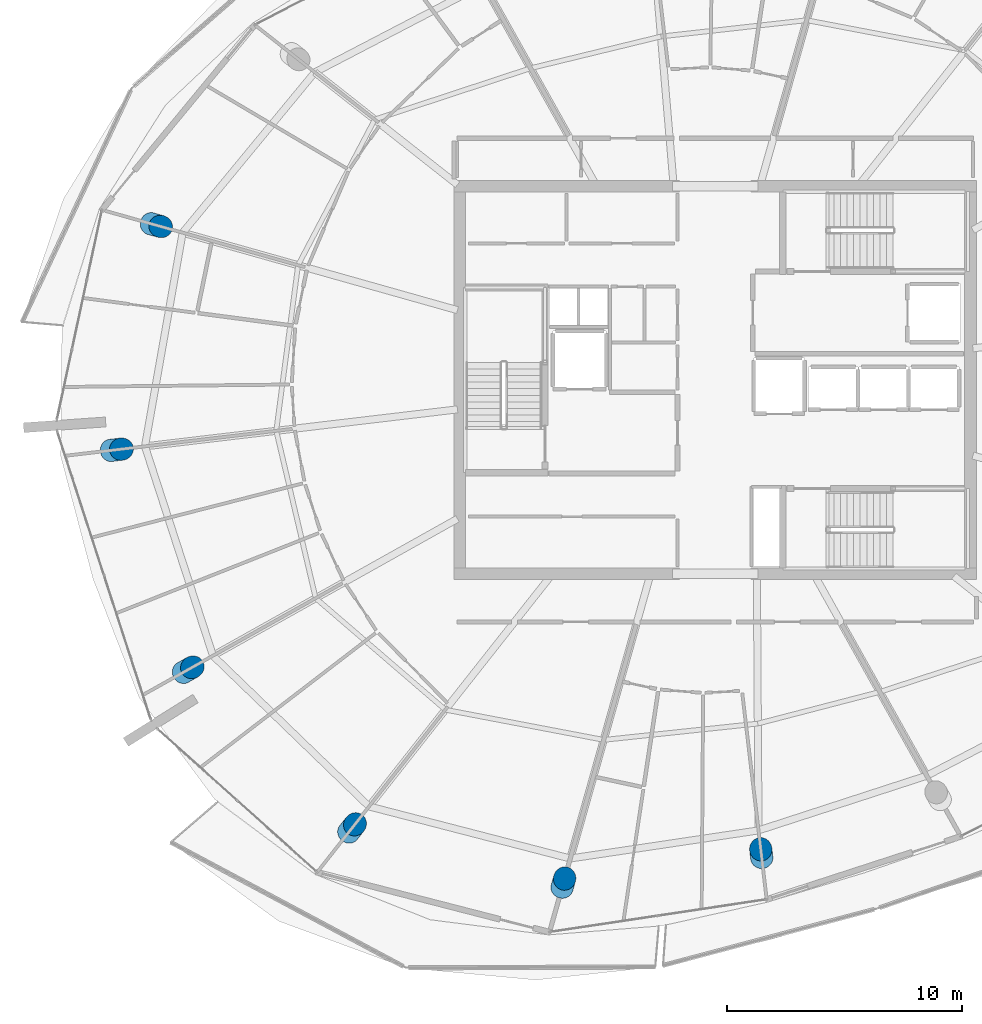
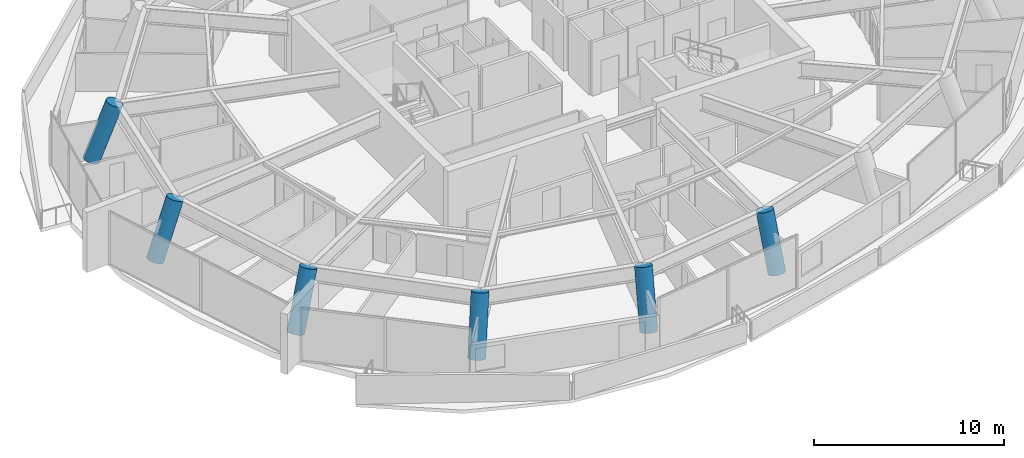
# One storey, part 1 of 24: 6 columns.
"""IFC4 building model written with IfcOpenShell, lengths in metres."""

from ifc_helpers import new_model, si_unit, direction, frame, origin, origin_2d, place, context, subcontext, project, spatial, circle, extrude, material, material_profile, profile_set, type_object, element, save


model = new_model("IFC4")

# Units and contexts
model_context = context("Model", 3, precision=1e-05, world=origin(), true_north=direction((0.0, 1.0)))
body_context = subcontext(model_context, "Body", "Model", "MODEL_VIEW")
ifc_project = project(units=[si_unit("LENGTHUNIT", "METRE"), si_unit("AREAUNIT", "SQUARE_METRE"), si_unit("VOLUMEUNIT", "CUBIC_METRE"), si_unit("PLANEANGLEUNIT", "RADIAN"), si_unit("MASSUNIT", "GRAM", prefix="KILO")], contexts=[model_context])

# Site, building, storey
site_placement = place(None, origin())
site = spatial("IfcSite", under=ifc_project, at=site_placement, CompositionType="ELEMENT")
building_placement = place(site_placement, origin())
building = spatial("IfcBuilding", under=site, at=building_placement, Name="Kazma Halo Residences", CompositionType="ELEMENT")
storey_placement = place(building_placement, frame((0.0, 0.0, 309.85009765625)))
storey = spatial("IfcBuildingStorey", under=building, at=storey_placement, Name="L78", CompositionType="ELEMENT", Elevation=309.85009765625)

# Columns
ifc_material = material(Name="Concrete C60/75", Category="concrete")
ifc_material_profile = material_profile(ifc_material, circle(Radius=0.47509765625, at=origin_2d()), Name="CIRC950")
ifc_profile_set = profile_set([ifc_material_profile], Name="Concrete C60/75")
column_type = type_object("IfcColumnType", Name="COL-PERIM-950", PredefinedType="COLUMN", material=ifc_profile_set)
column_1_placement = place(storey_placement, frame((24.387451171875, 48.659423828125, 0.0), z_axis=(0.330987533093, -0.093362273438, 0.939005185734), x_axis=(0.271478522348, 0.96244449809, 0.0)))
element("IfcColumn", 1, at=column_1_placement, inside=storey, type_object=column_type, Name="L78 perimeter ring column P07", PredefinedType="COLUMN", context=body_context, shape_type="SweptSolid", body=[
    extrude(circle(Radius=0.47509765625, at=origin_2d()), origin(), (0.0, 0.0, 1.0), 3.674072265625),
])
for number, where, z_axis, x_axis, name in (
    (2, (22.684814453125, 39.003662109375, 0.0), (0.353185583697, 0.041800241366, 0.934619004349), (-0.117531776266, 0.993069122251, 0.0), "L78 perimeter ring column P08"),
    (3, (25.75830078125, 29.544189453125, 0.0), (0.31032645066, 0.173748419839, 0.934617023504), (-0.488529751374, 0.872547237703, 0.0), "L78 perimeter ring column P09"),
):
    element("IfcColumn", number, at=place(storey_placement, frame(where, z_axis=z_axis, x_axis=x_axis)), inside=storey, type_object=column_type, Name=name, PredefinedType="COLUMN", context=body_context, shape_type="SweptSolid", body=[
        extrude(circle(Radius=0.47509765625, at=origin_2d()), origin(), (0.0, 0.0, 1.0), 3.69140625),
    ])
column_2_placement = place(storey_placement, frame((32.811279296875, 22.7333984375, 0.0), z_axis=(0.212907110385, 0.270054462111, 0.939010729354), x_axis=(-0.785298072574, 0.619117870208, 0.0)))
element("IfcColumn", 4, at=column_2_placement, inside=storey, type_object=column_type, Name="L78 perimeter ring column P10", PredefinedType="COLUMN", context=body_context, shape_type="SweptSolid", body=[
    extrude(circle(Radius=0.47509765625, at=origin_2d()), origin(), (0.0, 0.0, 1.0), 3.674072265625),
])
column_3_placement = place(storey_placement, frame((41.90283203125, 20.381103515625, 0.0), z_axis=(0.086284912029, 0.305955831144, 0.948127598662), x_axis=(-0.962458159265, 0.271430086144, 0.0)))
element("IfcColumn", 5, at=column_3_placement, inside=storey, type_object=column_type, Name="L78 perimeter ring column P11", PredefinedType="COLUMN", context=body_context, shape_type="SweptSolid", body=[
    extrude(circle(Radius=0.47509765625, at=origin_2d()), origin(), (0.0, 0.0, 1.0), 3.638671875),
])
column_4_placement = place(storey_placement, frame((50.408447265625, 21.651123046875, 0.0), z_axis=(-0.034376698759, 0.290510172782, 0.956254193242), x_axis=(-0.993071427628, -0.117512295652, 0.0)))
element("IfcColumn", 6, at=column_4_placement, inside=storey, type_object=column_type, Name="L78 perimeter ring column P12", PredefinedType="COLUMN", context=body_context, shape_type="SweptSolid", body=[
    extrude(circle(Radius=0.47509765625, at=origin_2d()), origin(), (0.0, 0.0, 1.0), 3.607666015625),
])

save(model, "model.ifc")
